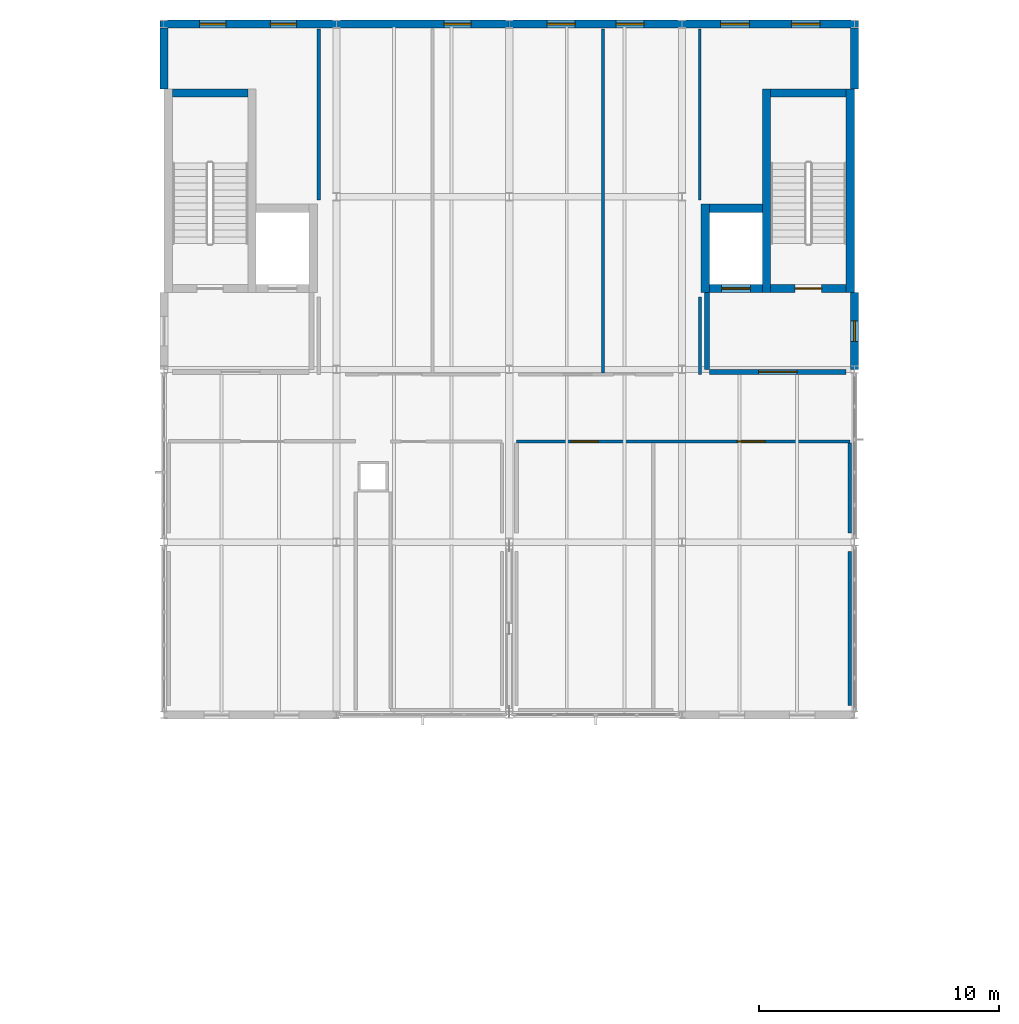
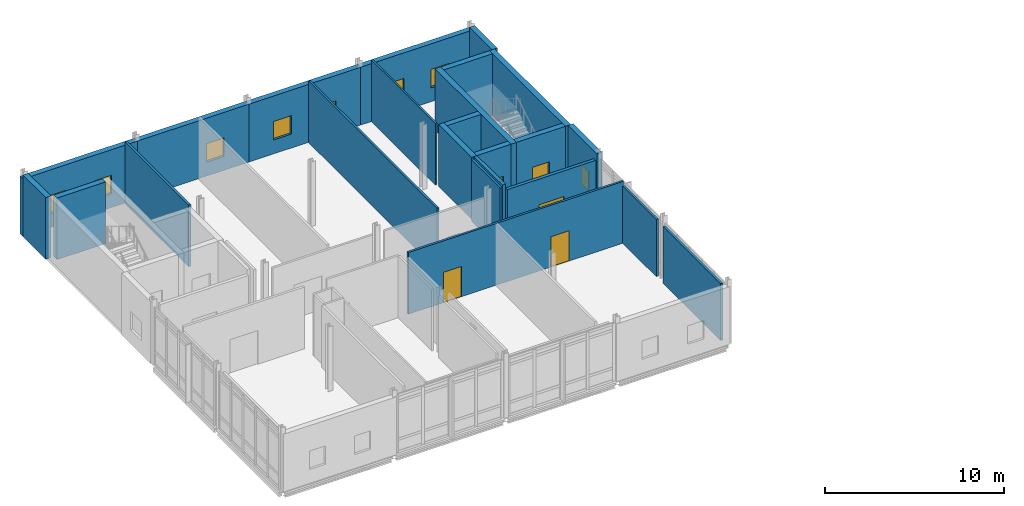
# One storey, part 36 of 43: 24 walls, 8 windows, 5 doors, 13 openings.
"""IFC4 building model written with IfcOpenShell, lengths in metres."""

from ifc_helpers import new_model, si_unit, direction, frame, frame_2d, origin, place, context, subcontext, project, spatial, rectangle, extrude, material, layer, layer_set, type_object, element, fill, save


model = new_model("IFC4")

# Units and contexts
model_context = context("Model", 3, precision=1e-05, world=origin(), true_north=direction((0.0, 1.0)))
body_context = subcontext(model_context, "Body", "Model", "MODEL_VIEW")
ifc_project = project(units=[si_unit("LENGTHUNIT", "METRE"), si_unit("AREAUNIT", "SQUARE_METRE"), si_unit("VOLUMEUNIT", "CUBIC_METRE"), si_unit("PLANEANGLEUNIT", "RADIAN"), si_unit("MASSUNIT", "GRAM", prefix="KILO")], contexts=[model_context])

# Site, building, storey
site_placement = place(None, origin())
site = spatial("IfcSite", under=ifc_project, at=site_placement, CompositionType="ELEMENT")
building_placement = place(site_placement, origin())
building = spatial("IfcBuilding", under=site, at=building_placement, Name="Zarrinpeak Specialist Clinic", CompositionType="ELEMENT")
storey_placement = place(building_placement, frame((0.0, 0.0, 18.39990234375)))
storey = spatial("IfcBuildingStorey", under=building, at=storey_placement, Name="L04", CompositionType="ELEMENT", Elevation=18.39990234375)

# Wall
ifc_material_1 = material(Name="Concrete C40/50", Category="concrete")
ifc_layer_1 = layer(ifc_material_1, 0.35009765625)
ifc_layer_set_1 = layer_set([ifc_layer_1], Name="Concrete C40/50")
wall_type_1 = type_object("IfcWallType", Name="WL-CR350", PredefinedType="SHEAR", material=ifc_layer_set_1)
wall_1_placement = place(storey_placement, frame((36.35009765625, 115.125, 0.0), z_axis=(0.0, 0.0, 1.0), x_axis=(1.0, 0.0, 0.0)))
element("IfcWall", 1, at=wall_1_placement, inside=storey, type_object=wall_type_1, Name="L04 Core C11 Shear Wall STN", PredefinedType="SHEAR", context=body_context, shape_type="SweptSolid", body=[
    extrude(rectangle(XDim=3.14990234375, YDim=0.35009765625, at=frame_2d((1.574951171875, 0.0))), origin(), (0.0, 0.0, 1.0), 4.215087890625),
])

# Wall, opening, door
wall_2_placement = place(storey_placement, frame((61.300048828125, 106.97509765625, 0.0), z_axis=(0.0, 0.0, 1.0), x_axis=(1.0, 0.0, 0.0)))
wall_2 = element("IfcWall", 2, at=wall_2_placement, inside=storey, type_object=wall_type_1, Name="L04 Core C12 Shear Wall STS", PredefinedType="SHEAR", context=body_context, shape_type="SweptSolid", body=[
    extrude(rectangle(XDim=3.14990234375, YDim=0.35009765625, at=frame_2d((1.574951171875, 0.0))), origin(), (0.0, 0.0, 1.0), 4.215087890625),
])
opening_1_placement = place(wall_2_placement, frame((1.02490234375, 0.0, 0.0)))
opening_1 = element("IfcOpeningElement", 3, at=opening_1_placement, cuts=wall_2, Name="Opening D-S02", PredefinedType="OPENING", context=body_context, shape_type="SweptSolid", body=[
    extrude(rectangle(XDim=1.10009765625, YDim=2.14990234375, at=frame_2d((0.550048828125, 1.074951171875))), frame((0.0, 0.18505859375, 0.0), z_axis=(0.0, -1.0, 0.0), x_axis=(1.0, 0.0, 0.0)), (0.0, 0.0, 1.0), 0.3701171875),
])
ifc_material_2 = material(Name="Powder-Coated Galvanised Steel", Category="steel")
door_type_1 = type_object("IfcDoorType", Name="DR-FD110", OperationType="SINGLE_SWING_RIGHT", PredefinedType="DOOR", material=ifc_material_2)
door_1_placement = place(opening_1_placement, origin())
door_1 = element("IfcDoor", 4, at=door_1_placement, inside=storey, type_object=door_type_1, Name="L04 Protected Stair ST-12 Fire Door", OperationType="SINGLE_SWING_RIGHT", OverallHeight=2.14990234375, OverallWidth=1.10009765625, PredefinedType="DOOR", context=body_context, shape_type="SweptSolid", body=[
    extrude(rectangle(XDim=1.10009765625, YDim=2.14990234375, at=frame_2d((0.550048828125, 1.074951171875))), frame((0.0, 0.02490234375, 0.0), z_axis=(0.0, -1.0, 0.0), x_axis=(1.0, 0.0, 0.0)), (0.0, 0.0, 1.0), 0.050048828125),
])
fill(opening_1, door_1)

# Walls
wall_3_placement = place(storey_placement, frame((61.300048828125, 115.125, 0.0), z_axis=(0.0, 0.0, 1.0), x_axis=(1.0, 0.0, 0.0)))
element("IfcWall", 5, at=wall_3_placement, inside=storey, type_object=wall_type_1, Name="L04 Core C12 Shear Wall STN", PredefinedType="SHEAR", context=body_context, shape_type="SweptSolid", body=[
    extrude(rectangle(XDim=3.14990234375, YDim=0.35009765625, at=frame_2d((1.574951171875, 0.0))), origin(), (0.0, 0.0, 1.0), 4.215087890625),
])
for number, where, z_axis, x_axis, name in (
    (6, (61.125, 106.800048828125, 0.0), (0.0, 0.0, 1.0), (0.0, 1.0, 0.0), "L04 Core C12 Shear Wall STW"),
    (7, (64.625, 106.800048828125, 0.0), (0.0, 0.0, 1.0), (0.0, 1.0, 0.0), "L04 Core C12 Shear Wall STE"),
):
    element("IfcWall", number, at=place(storey_placement, frame(where, z_axis=z_axis, x_axis=x_axis)), inside=storey, type_object=wall_type_1, Name=name, PredefinedType="SHEAR", context=body_context, shape_type="SweptSolid", body=[
        extrude(rectangle(XDim=8.5, YDim=0.35009765625, at=frame_2d((4.25, 0.0))), origin(), (0.0, 0.0, 1.0), 4.215087890625),
    ])

# Wall, opening, door
wall_4_placement = place(storey_placement, frame((58.75, 106.97509765625, 0.0), z_axis=(0.0, 0.0, 1.0), x_axis=(1.0, 0.0, 0.0)))
wall_4 = element("IfcWall", 8, at=wall_4_placement, inside=storey, type_object=wall_type_1, Name="L04 Lift LF-P6 Shaft Wall LFS", PredefinedType="SHEAR", context=body_context, shape_type="SweptSolid", body=[
    extrude(rectangle(XDim=2.199951171875, YDim=0.35009765625, at=frame_2d((1.10009765625, 0.0))), origin(), (0.0, 0.0, 1.0), 4.215087890625),
])
opening_2_placement = place(wall_4_placement, frame((0.5, 0.0, 0.0)))
opening_2 = element("IfcOpeningElement", 9, at=opening_2_placement, cuts=wall_4, Name="Opening LD-02", PredefinedType="OPENING", context=body_context, shape_type="SweptSolid", body=[
    extrude(rectangle(XDim=1.199951171875, YDim=2.199951171875, at=frame_2d((0.60009765625, 1.10009765625))), frame((0.0, 0.18505859375, 0.0), z_axis=(0.0, -1.0, 0.0), x_axis=(1.0, 0.0, 0.0)), (0.0, 0.0, 1.0), 0.3701171875),
])
door_type_2 = type_object("IfcDoorType", Name="DR-LD120", OperationType="SLIDING_TO_RIGHT", PredefinedType="DOOR", material=ifc_material_2)
door_2_placement = place(opening_2_placement, origin())
door_2 = element("IfcDoor", 10, at=door_2_placement, inside=storey, type_object=door_type_2, Name="L04 Lift LF-P6 Sliding Landing Door", OperationType="SLIDING_TO_RIGHT", OverallHeight=2.199951171875, OverallWidth=1.199951171875, PredefinedType="DOOR", context=body_context, shape_type="SweptSolid", body=[
    extrude(rectangle(XDim=1.199951171875, YDim=2.199951171875, at=frame_2d((0.60009765625, 1.10009765625))), frame((0.0, 0.02490234375, 0.0), z_axis=(0.0, -1.0, 0.0), x_axis=(1.0, 0.0, 0.0)), (0.0, 0.0, 1.0), 0.050048828125),
])
fill(opening_2, door_2)

# Walls
wall_5_placement = place(storey_placement, frame((58.75, 110.324951171875, 0.0), z_axis=(0.0, 0.0, 1.0), x_axis=(1.0, 0.0, 0.0)))
element("IfcWall", 11, at=wall_5_placement, inside=storey, type_object=wall_type_1, Name="L04 Lift LF-P6 Shaft Wall LFN", PredefinedType="SHEAR", context=body_context, shape_type="SweptSolid", body=[
    extrude(rectangle(XDim=2.199951171875, YDim=0.35009765625, at=frame_2d((1.10009765625, 0.0))), origin(), (0.0, 0.0, 1.0), 4.215087890625),
])
wall_6_placement = place(storey_placement, frame((58.574951171875, 106.800048828125, 0.0), z_axis=(0.0, 0.0, 1.0), x_axis=(0.0, 1.0, 0.0)))
element("IfcWall", 12, at=wall_6_placement, inside=storey, type_object=wall_type_1, Name="L04 Lift LF-P6 Shaft Wall LFW", PredefinedType="SHEAR", context=body_context, shape_type="SweptSolid", body=[
    extrude(rectangle(XDim=3.699951171875, YDim=0.35009765625, at=frame_2d((1.85009765625, 0.0))), origin(), (0.0, 0.0, 1.0), 4.215087890625),
])

# Wall, openings, windows
ifc_material_3 = material(Name="Precast concrete C40/50", Category="concrete")
ifc_layer_2 = layer(ifc_material_3, 0.340087890625)
ifc_layer_set_2 = layer_set([ifc_layer_2], Name="Precast concrete C40/50")
wall_type_2 = type_object("IfcWallType", Name="WL-EW340", PredefinedType="STANDARD", material=ifc_layer_set_2)
wall_7_placement = place(storey_placement, frame((43.199951171875, 118.0, 0.0), z_axis=(0.0, 0.0, 1.0), x_axis=(-1.0, 0.0, 0.0)))
wall_7 = element("IfcWall", 13, at=wall_7_placement, inside=storey, type_object=wall_type_2, Name="L04 V6 Exterior GRC Wall EW-L04-V6-0313", PredefinedType="STANDARD", context=body_context, shape_type="SweptSolid", body=[
    extrude(rectangle(XDim=7.369873046875, YDim=0.340087890625, at=frame_2d((3.68505859375, 0.0))), origin(), (0.0, 0.0, 1.0), 3.9501953125),
])
opening_3_placement = place(wall_7_placement, frame((1.662109375, 0.0, 0.949951171875)))
opening_3 = element("IfcOpeningElement", 14, at=opening_3_placement, cuts=wall_7, Name="Opening WS-08", PredefinedType="OPENING", context=body_context, shape_type="SweptSolid", body=[
    extrude(rectangle(XDim=1.097900390625, YDim=1.260009765625, at=frame_2d((0.548828125, 0.6298828125))), frame((0.0, 0.18017578125, 0.0), z_axis=(0.0, -1.0, 0.0), x_axis=(1.0, 0.0, 0.0)), (0.0, 0.0, 1.0), 0.360107421875),
])
opening_4_placement = place(wall_7_placement, frame((4.610107421875, 0.0, 0.949951171875)))
opening_4 = element("IfcOpeningElement", 15, at=opening_4_placement, cuts=wall_7, Name="Opening WS-08", PredefinedType="OPENING", context=body_context, shape_type="SweptSolid", body=[
    extrude(rectangle(XDim=1.097900390625, YDim=1.260009765625, at=frame_2d((0.548828125, 0.6298828125))), frame((0.0, 0.18017578125, 0.0), z_axis=(0.0, -1.0, 0.0), x_axis=(1.0, 0.0, 0.0)), (0.0, 0.0, 1.0), 0.360107421875),
])
ifc_material_4 = material(Name="Thermally Broken Aluminium and Low-E Glazing", Category="aluminium")
window_type_1 = type_object("IfcWindowType", Name="WN-SP08", PartitioningType="SINGLE_PANEL", PredefinedType="WINDOW", material=ifc_material_4)
window_1_placement = place(opening_3_placement, origin())
window_1 = element("IfcWindow", 16, at=window_1_placement, inside=storey, type_object=window_type_1, Name="L04 Modular Facade Window WN-L04-0351", OverallHeight=1.260009765625, OverallWidth=1.097900390625, PartitioningType="SINGLE_PANEL", PredefinedType="WINDOW", context=body_context, shape_type="SweptSolid", body=[
    extrude(rectangle(XDim=1.097900390625, YDim=1.260009765625, at=frame_2d((0.548828125, 0.6298828125))), frame((0.0, 0.030029296875, 0.0), z_axis=(0.0, -1.0, 0.0), x_axis=(1.0, 0.0, 0.0)), (0.0, 0.0, 1.0), 0.06005859375),
])
fill(opening_3, window_1)
window_2_placement = place(opening_4_placement, origin())
window_2 = element("IfcWindow", 17, at=window_2_placement, inside=storey, type_object=window_type_1, Name="L04 Modular Facade Window WN-L04-0352", OverallHeight=1.260009765625, OverallWidth=1.097900390625, PartitioningType="SINGLE_PANEL", PredefinedType="WINDOW", context=body_context, shape_type="SweptSolid", body=[
    extrude(rectangle(XDim=1.097900390625, YDim=1.260009765625, at=frame_2d((0.548828125, 0.6298828125))), frame((0.0, 0.030029296875, 0.0), z_axis=(0.0, -1.0, 0.0), x_axis=(1.0, 0.0, 0.0)), (0.0, 0.0, 1.0), 0.06005859375),
])
fill(opening_4, window_2)

# Wall, opening, window
wall_8_placement = place(storey_placement, frame((50.39990234375, 118.0, 0.0), z_axis=(0.0, 0.0, 1.0), x_axis=(-1.0, 0.0, 0.0)))
wall_8 = element("IfcWall", 18, at=wall_8_placement, inside=storey, type_object=wall_type_2, Name="L04 V6 Exterior GRC Wall EW-L04-V6-0314", PredefinedType="STANDARD", context=body_context, shape_type="SweptSolid", body=[
    extrude(rectangle(XDim=7.199951171875, YDim=0.340087890625, at=frame_2d((3.60009765625, 0.0))), origin(), (0.0, 0.0, 1.0), 3.9501953125),
])
opening_5_placement = place(wall_8_placement, frame((1.593994140625, 0.0, 0.949951171875)))
opening_5 = element("IfcOpeningElement", 19, at=opening_5_placement, cuts=wall_8, Name="Opening WS-09", PredefinedType="OPENING", context=body_context, shape_type="SweptSolid", body=[
    extrude(rectangle(XDim=1.132080078125, YDim=1.260009765625, at=frame_2d((0.56591796875, 0.6298828125))), frame((0.0, 0.18017578125, 0.0), z_axis=(0.0, -1.0, 0.0), x_axis=(1.0, 0.0, 0.0)), (0.0, 0.0, 1.0), 0.360107421875),
])
window_type_2 = type_object("IfcWindowType", Name="WN-SP09", PartitioningType="SINGLE_PANEL", PredefinedType="WINDOW", material=ifc_material_4)
window_3_placement = place(opening_5_placement, origin())
window_3 = element("IfcWindow", 20, at=window_3_placement, inside=storey, type_object=window_type_2, Name="L04 Modular Facade Window WN-L04-0353", OverallHeight=1.260009765625, OverallWidth=1.132080078125, PartitioningType="SINGLE_PANEL", PredefinedType="WINDOW", context=body_context, shape_type="SweptSolid", body=[
    extrude(rectangle(XDim=1.132080078125, YDim=1.260009765625, at=frame_2d((0.56591796875, 0.6298828125))), frame((0.0, 0.030029296875, 0.0), z_axis=(0.0, -1.0, 0.0), x_axis=(1.0, 0.0, 0.0)), (0.0, 0.0, 1.0), 0.06005859375),
])
fill(opening_5, window_3)

# Wall, openings, windows
wall_9_placement = place(storey_placement, frame((57.60009765625, 118.0, 0.0), z_axis=(0.0, 0.0, 1.0), x_axis=(-1.0, 0.0, 0.0)))
wall_9 = element("IfcWall", 21, at=wall_9_placement, inside=storey, type_object=wall_type_2, Name="L04 V6 Exterior GRC Wall EW-L04-V6-0315", PredefinedType="STANDARD", context=body_context, shape_type="SweptSolid", body=[
    extrude(rectangle(XDim=7.2001953125, YDim=0.340087890625, at=frame_2d((3.60009765625, 0.0))), origin(), (0.0, 0.0, 1.0), 3.9501953125),
])
opening_6_placement = place(wall_9_placement, frame((1.576904296875, 0.0, 0.949951171875)))
opening_6 = element("IfcOpeningElement", 22, at=opening_6_placement, cuts=wall_9, Name="Opening WS-10", PredefinedType="OPENING", context=body_context, shape_type="SweptSolid", body=[
    extrude(rectangle(XDim=1.166015625, YDim=1.260009765625, at=frame_2d((0.5830078125, 0.6298828125))), frame((0.0, 0.18017578125, 0.0), z_axis=(0.0, -1.0, 0.0), x_axis=(1.0, 0.0, 0.0)), (0.0, 0.0, 1.0), 0.360107421875),
])
opening_7_placement = place(wall_9_placement, frame((4.45703125, 0.0, 0.949951171875)))
opening_7 = element("IfcOpeningElement", 23, at=opening_7_placement, cuts=wall_9, Name="Opening WS-10", PredefinedType="OPENING", context=body_context, shape_type="SweptSolid", body=[
    extrude(rectangle(XDim=1.166015625, YDim=1.260009765625, at=frame_2d((0.5830078125, 0.6298828125))), frame((0.0, 0.18017578125, 0.0), z_axis=(0.0, -1.0, 0.0), x_axis=(1.0, 0.0, 0.0)), (0.0, 0.0, 1.0), 0.360107421875),
])
window_type_3 = type_object("IfcWindowType", Name="WN-SP10", PartitioningType="SINGLE_PANEL", PredefinedType="WINDOW", material=ifc_material_4)
window_4_placement = place(opening_6_placement, origin())
window_4 = element("IfcWindow", 24, at=window_4_placement, inside=storey, type_object=window_type_3, Name="L04 Modular Facade Window WN-L04-0354", OverallHeight=1.260009765625, OverallWidth=1.166015625, PartitioningType="SINGLE_PANEL", PredefinedType="WINDOW", context=body_context, shape_type="SweptSolid", body=[
    extrude(rectangle(XDim=1.166015625, YDim=1.260009765625, at=frame_2d((0.5830078125, 0.6298828125))), frame((0.0, 0.030029296875, 0.0), z_axis=(0.0, -1.0, 0.0), x_axis=(1.0, 0.0, 0.0)), (0.0, 0.0, 1.0), 0.06005859375),
])
fill(opening_6, window_4)
window_5_placement = place(opening_7_placement, origin())
window_5 = element("IfcWindow", 25, at=window_5_placement, inside=storey, type_object=window_type_3, Name="L04 Modular Facade Window WN-L04-0355", OverallHeight=1.260009765625, OverallWidth=1.166015625, PartitioningType="SINGLE_PANEL", PredefinedType="WINDOW", context=body_context, shape_type="SweptSolid", body=[
    extrude(rectangle(XDim=1.166015625, YDim=1.260009765625, at=frame_2d((0.5830078125, 0.6298828125))), frame((0.0, 0.030029296875, 0.0), z_axis=(0.0, -1.0, 0.0), x_axis=(1.0, 0.0, 0.0)), (0.0, 0.0, 1.0), 0.06005859375),
])
fill(opening_7, window_5)

wall_10_placement = place(storey_placement, frame((64.969970703125, 118.0, 0.0), z_axis=(0.0, 0.0, 1.0), x_axis=(-1.0, 0.0, 0.0)))
wall_10 = element("IfcWall", 26, at=wall_10_placement, inside=storey, type_object=wall_type_2, Name="L04 V6 Exterior GRC Wall EW-L04-V6-0316", PredefinedType="STANDARD", context=body_context, shape_type="SweptSolid", body=[
    extrude(rectangle(XDim=7.369873046875, YDim=0.340087890625, at=frame_2d((3.68505859375, 0.0))), origin(), (0.0, 0.0, 1.0), 3.9501953125),
])
opening_8_placement = place(wall_10_placement, frame((1.611083984375, 0.0, 0.949951171875)))
opening_8 = element("IfcOpeningElement", 27, at=opening_8_placement, cuts=wall_10, Name="Opening WS-11", PredefinedType="OPENING", context=body_context, shape_type="SweptSolid", body=[
    extrude(rectangle(XDim=1.199951171875, YDim=1.260009765625, at=frame_2d((0.60009765625, 0.6298828125))), frame((0.0, 0.18017578125, 0.0), z_axis=(0.0, -1.0, 0.0), x_axis=(1.0, 0.0, 0.0)), (0.0, 0.0, 1.0), 0.360107421875),
])
opening_9_placement = place(wall_10_placement, frame((4.55908203125, 0.0, 0.949951171875)))
opening_9 = element("IfcOpeningElement", 28, at=opening_9_placement, cuts=wall_10, Name="Opening WS-11", PredefinedType="OPENING", context=body_context, shape_type="SweptSolid", body=[
    extrude(rectangle(XDim=1.199951171875, YDim=1.260009765625, at=frame_2d((0.60009765625, 0.6298828125))), frame((0.0, 0.18017578125, 0.0), z_axis=(0.0, -1.0, 0.0), x_axis=(1.0, 0.0, 0.0)), (0.0, 0.0, 1.0), 0.360107421875),
])
window_type_4 = type_object("IfcWindowType", Name="WN-SP11", PartitioningType="SINGLE_PANEL", PredefinedType="WINDOW", material=ifc_material_4)
window_6_placement = place(opening_8_placement, origin())
window_6 = element("IfcWindow", 29, at=window_6_placement, inside=storey, type_object=window_type_4, Name="L04 Modular Facade Window WN-L04-0356", OverallHeight=1.260009765625, OverallWidth=1.199951171875, PartitioningType="SINGLE_PANEL", PredefinedType="WINDOW", context=body_context, shape_type="SweptSolid", body=[
    extrude(rectangle(XDim=1.199951171875, YDim=1.260009765625, at=frame_2d((0.60009765625, 0.6298828125))), frame((0.0, 0.030029296875, 0.0), z_axis=(0.0, -1.0, 0.0), x_axis=(1.0, 0.0, 0.0)), (0.0, 0.0, 1.0), 0.06005859375),
])
fill(opening_8, window_6)
window_7_placement = place(opening_9_placement, origin())
window_7 = element("IfcWindow", 30, at=window_7_placement, inside=storey, type_object=window_type_4, Name="L04 Modular Facade Window WN-L04-0357", OverallHeight=1.260009765625, OverallWidth=1.199951171875, PartitioningType="SINGLE_PANEL", PredefinedType="WINDOW", context=body_context, shape_type="SweptSolid", body=[
    extrude(rectangle(XDim=1.199951171875, YDim=1.260009765625, at=frame_2d((0.60009765625, 0.6298828125))), frame((0.0, 0.030029296875, 0.0), z_axis=(0.0, -1.0, 0.0), x_axis=(1.0, 0.0, 0.0)), (0.0, 0.0, 1.0), 0.06005859375),
])
fill(opening_9, window_7)

# Wall
wall_11_placement = place(storey_placement, frame((36.0, 117.830078125, 0.0), z_axis=(0.0, 0.0, 1.0), x_axis=(0.0, -1.0, 0.0)))
element("IfcWall", 31, at=wall_11_placement, inside=storey, type_object=wall_type_2, Name="L04 V6 Exterior GRC Wall EW-L04-V6-0318", PredefinedType="STANDARD", context=body_context, shape_type="SweptSolid", body=[
    extrude(rectangle(XDim=2.530029296875, YDim=0.340087890625, at=frame_2d((1.26513671875, 0.0))), origin(), (0.0, 0.0, 1.0), 4.215087890625),
])

# Wall, opening, window
wall_12_placement = place(storey_placement, frame((64.800048828125, 103.60009765625, 0.0), z_axis=(0.0, 0.0, 1.0), x_axis=(0.0, 1.0, 0.0)))
wall_12 = element("IfcWall", 32, at=wall_12_placement, inside=storey, type_object=wall_type_2, Name="L04 V6 Exterior GRC Wall EW-L04-V6-0319", PredefinedType="STANDARD", context=body_context, shape_type="SweptSolid", body=[
    extrude(rectangle(XDim=3.199951171875, YDim=0.340087890625, at=frame_2d((1.60009765625, 0.0))), origin(), (0.0, 0.0, 1.0), 4.215087890625),
])
opening_10_placement = place(wall_12_placement, frame((1.169921875, 0.0, 0.949951171875)))
opening_10 = element("IfcOpeningElement", 33, at=opening_10_placement, cuts=wall_12, Name="Opening WS-14", PredefinedType="OPENING", context=body_context, shape_type="SweptSolid", body=[
    extrude(rectangle(XDim=0.860107421875, YDim=1.2958984375, at=frame_2d((0.43017578125, 0.64794921875))), frame((0.0, 0.18017578125, 0.0), z_axis=(0.0, -1.0, 0.0), x_axis=(1.0, 0.0, 0.0)), (0.0, 0.0, 1.0), 0.360107421875),
])
window_type_5 = type_object("IfcWindowType", Name="WN-SP14", PartitioningType="SINGLE_PANEL", PredefinedType="WINDOW", material=ifc_material_4)
window_8_placement = place(opening_10_placement, origin())
window_8 = element("IfcWindow", 34, at=window_8_placement, inside=storey, type_object=window_type_5, Name="L04 Modular Facade Window WN-L04-0359", OverallHeight=1.2958984375, OverallWidth=0.860107421875, PartitioningType="SINGLE_PANEL", PredefinedType="WINDOW", context=body_context, shape_type="SweptSolid", body=[
    extrude(rectangle(XDim=0.860107421875, YDim=1.2958984375, at=frame_2d((0.43017578125, 0.64794921875))), frame((0.0, 0.030029296875, 0.0), z_axis=(0.0, -1.0, 0.0), x_axis=(1.0, 0.0, 0.0)), (0.0, 0.0, 1.0), 0.06005859375),
])
fill(opening_10, window_8)

# Walls
wall_13_placement = place(storey_placement, frame((64.800048828125, 115.300048828125, 0.0), z_axis=(0.0, 0.0, 1.0), x_axis=(0.0, 1.0, 0.0)))
element("IfcWall", 35, at=wall_13_placement, inside=storey, type_object=wall_type_2, Name="L04 V6 Exterior GRC Wall EW-L04-V6-0320", PredefinedType="STANDARD", context=body_context, shape_type="SweptSolid", body=[
    extrude(rectangle(XDim=2.530029296875, YDim=0.340087890625, at=frame_2d((1.26513671875, 0.0))), origin(), (0.0, 0.0, 1.0), 4.215087890625),
])
ifc_material_5 = material(Name="Sanitary Service Chase Plumbing Wall", Category="gypsum")
ifc_layer_3 = layer(ifc_material_5, 0.110107421875)
ifc_layer_set_3 = layer_set([ifc_layer_3], Name="Sanitary Service Chase Plumbing Wall")
wall_type_3 = type_object("IfcWallType", Name="WL-IW110", PredefinedType="PARTITIONING", material=ifc_layer_set_3)
wall_14_placement = place(storey_placement, frame((58.35009765625, 110.675048828125, 0.0), z_axis=(0.0, 0.0, 1.0), x_axis=(0.0, 1.0, 0.0)))
element("IfcWall", 36, at=wall_14_placement, inside=storey, type_object=wall_type_3, Name="L04 Student WC Dividing Partition", PredefinedType="PARTITIONING", context=body_context, shape_type="SweptSolid", body=[
    extrude(rectangle(XDim=7.125, YDim=0.110107421875, at=frame_2d((3.5625, 0.0))), origin(), (0.0, 0.0, 1.0), 4.215087890625),
])
ifc_material_6 = material(Name="Moisture-Resistant Wet-Room Partition", Category="gypsum")
ifc_layer_4 = layer(ifc_material_6, 0.125)
ifc_layer_set_4 = layer_set([ifc_layer_4], Name="Moisture-Resistant Wet-Room Partition")
wall_type_4 = type_object("IfcWallType", Name="WL-IW125W", PredefinedType="PARTITIONING", material=ifc_layer_set_4)
wall_15_placement = place(storey_placement, frame((54.300048828125, 103.46240234375, 0.0), z_axis=(0.0, 0.0, 1.0), x_axis=(0.0, 1.0, 0.0)))
element("IfcWall", 37, at=wall_15_placement, inside=storey, type_object=wall_type_4, Name="L04 Student WC Dividing Partition", PredefinedType="PARTITIONING", context=body_context, shape_type="SweptSolid", body=[
    extrude(rectangle(XDim=14.337646484375, YDim=0.125, at=frame_2d((7.1689453125, 0.0))), origin(), (0.0, 0.0, 1.0), 4.215087890625),
])
wall_16_placement = place(storey_placement, frame((58.35009765625, 103.39990234375, 0.0), z_axis=(0.0, 0.0, 1.0), x_axis=(0.0, 1.0, 0.0)))
element("IfcWall", 38, at=wall_16_placement, inside=storey, type_object=wall_type_4, Name="L04 Student WC Dividing Partition", PredefinedType="PARTITIONING", context=body_context, shape_type="SweptSolid", body=[
    extrude(rectangle(XDim=3.22509765625, YDim=0.125, at=frame_2d((1.612548828125, 0.0))), origin(), (0.0, 0.0, 1.0), 4.215087890625),
])

# Wall, openings, doors
ifc_material_7 = material(Name="Standard Drywall Partition", Category="gypsum")
ifc_layer_5 = layer(ifc_material_7, 0.135009765625)
ifc_layer_set_5 = layer_set([ifc_layer_5], Name="Standard Drywall Partition")
wall_type_5 = type_object("IfcWallType", Name="WL-IW135", PredefinedType="PARTITIONING", material=ifc_layer_set_5)
wall_17_placement = place(storey_placement, frame((50.699951171875, 100.60009765625, 0.0), z_axis=(0.0, 0.0, 1.0), x_axis=(1.0, 0.0, 0.0)))
wall_17 = element("IfcWall", 39, at=wall_17_placement, inside=storey, type_object=wall_type_5, Name="L04 Faculty Academic Offices Partition", PredefinedType="PARTITIONING", context=body_context, shape_type="SweptSolid", body=[
    extrude(rectangle(XDim=13.900146484375, YDim=0.135009765625, at=frame_2d((6.9501953125, 0.0))), origin(), (0.0, 0.0, 1.0), 4.215087890625),
])
opening_11_placement = place(wall_17_placement, frame((2.280029296875, 0.0, 0.0)))
opening_11 = element("IfcOpeningElement", 40, at=opening_11_placement, cuts=wall_17, Name="Opening DS-24", PredefinedType="OPENING", context=body_context, shape_type="SweptSolid", body=[
    extrude(rectangle(XDim=1.139892578125, YDim=2.068115234375, at=frame_2d((0.56982421875, 1.0341796875))), frame((0.0, 0.07763671875, 0.0), z_axis=(0.0, -1.0, 0.0), x_axis=(1.0, 0.0, 0.0)), (0.0, 0.0, 1.0), 0.155029296875),
])
opening_12_placement = place(wall_17_placement, frame((9.217041015625, 0.0, 0.0)))
opening_12 = element("IfcOpeningElement", 41, at=opening_12_placement, cuts=wall_17, Name="Opening DS-25", PredefinedType="OPENING", context=body_context, shape_type="SweptSolid", body=[
    extrude(rectangle(XDim=1.166015625, YDim=2.068115234375, at=frame_2d((0.5830078125, 1.0341796875))), frame((0.0, 0.07763671875, 0.0), z_axis=(0.0, -1.0, 0.0), x_axis=(1.0, 0.0, 0.0)), (0.0, 0.0, 1.0), 0.155029296875),
])
door_type_3 = type_object("IfcDoorType", Name="DR-SP24", OperationType="SINGLE_SWING_LEFT", PredefinedType="DOOR", material=ifc_material_2)
door_3_placement = place(opening_11_placement, origin())
door_3 = element("IfcDoor", 42, at=door_3_placement, inside=storey, type_object=door_type_3, Name="L04 Faculty Academic Offices Door", OperationType="SINGLE_SWING_LEFT", OverallHeight=2.068115234375, OverallWidth=1.139892578125, PredefinedType="DOOR", context=body_context, shape_type="SweptSolid", body=[
    extrude(rectangle(XDim=1.139892578125, YDim=2.068115234375, at=frame_2d((0.56982421875, 1.0341796875))), frame((0.0, 0.02490234375, 0.0), z_axis=(0.0, -1.0, 0.0), x_axis=(1.0, 0.0, 0.0)), (0.0, 0.0, 1.0), 0.050048828125),
])
fill(opening_11, door_3)
door_type_4 = type_object("IfcDoorType", Name="DR-SP25", OperationType="SINGLE_SWING_RIGHT", PredefinedType="DOOR", material=ifc_material_2)
door_4_placement = place(opening_12_placement, origin())
door_4 = element("IfcDoor", 43, at=door_4_placement, inside=storey, type_object=door_type_4, Name="L04 Specialist Consultation Room 1 Door", OperationType="SINGLE_SWING_RIGHT", OverallHeight=2.068115234375, OverallWidth=1.166015625, PredefinedType="DOOR", context=body_context, shape_type="SweptSolid", body=[
    extrude(rectangle(XDim=1.166015625, YDim=2.068115234375, at=frame_2d((0.5830078125, 1.0341796875))), frame((0.0, 0.02490234375, 0.0), z_axis=(0.0, -1.0, 0.0), x_axis=(1.0, 0.0, 0.0)), (0.0, 0.0, 1.0), 0.050048828125),
])
fill(opening_12, door_4)

# Walls
wall_18_placement = place(storey_placement, frame((64.60009765625, 96.780029296875, 0.0), z_axis=(0.0, 0.0, 1.0), x_axis=(0.0, 1.0, 0.0)))
element("IfcWall", 44, at=wall_18_placement, inside=storey, type_object=wall_type_5, Name="L04 Specialist Consultation Room 1 Dividing Partition", PredefinedType="PARTITIONING", context=body_context, shape_type="SweptSolid", body=[
    extrude(rectangle(XDim=3.75244140625, YDim=0.135009765625, at=frame_2d((1.876220703125, 0.0))), origin(), (0.0, 0.0, 1.0), 3.900146484375),
])
ifc_material_8 = material(Name="Acoustic Consultation Stud Partition", Category="gypsum")
ifc_layer_6 = layer(ifc_material_8, 0.14208984375)
ifc_layer_set_6 = layer_set([ifc_layer_6], Name="Acoustic Consultation Stud Partition")
wall_type_6 = type_object("IfcWallType", Name="WL-IW142", PredefinedType="PARTITIONING", material=ifc_layer_set_6)
wall_19_placement = place(storey_placement, frame((42.449951171875, 110.675048828125, 0.0), z_axis=(0.0, 0.0, 1.0), x_axis=(0.0, 1.0, 0.0)))
element("IfcWall", 45, at=wall_19_placement, inside=storey, type_object=wall_type_6, Name="L04 Clinical Residency Seminar Room Dividing Partition", PredefinedType="PARTITIONING", context=body_context, shape_type="SweptSolid", body=[
    extrude(rectangle(XDim=7.125, YDim=0.14208984375, at=frame_2d((3.5625, 0.0))), origin(), (0.0, 0.0, 1.0), 4.215087890625),
])
wall_20_placement = place(storey_placement, frame((64.60009765625, 89.580078125, 0.0), z_axis=(0.0, 0.0, 1.0), x_axis=(0.0, 1.0, 0.0)))
element("IfcWall", 46, at=wall_20_placement, inside=storey, type_object=wall_type_6, Name="L04 Specialist Consultation Room 1 Dividing Partition", PredefinedType="PARTITIONING", context=body_context, shape_type="SweptSolid", body=[
    extrude(rectangle(XDim=6.43994140625, YDim=0.14208984375, at=frame_2d((3.219970703125, 0.0))), origin(), (0.0, 0.0, 1.0), 3.89013671875),
])

# Wall, opening, door
ifc_material_9 = material(Name="Autoclaved Aerated Concrete Blockwork", Category="masonry")
ifc_layer_7 = layer(ifc_material_9, 0.199951171875)
ifc_layer_set_7 = layer_set([ifc_layer_7], Name="Autoclaved Aerated Concrete Blockwork")
wall_type_7 = type_object("IfcWallType", Name="WL-IW200", PredefinedType="PARTITIONING", material=ifc_layer_set_7)
wall_21_placement = place(storey_placement, frame((58.75, 103.5, 0.0), z_axis=(0.0, 0.0, 1.0), x_axis=(1.0, 0.0, 0.0)))
wall_21 = element("IfcWall", 47, at=wall_21_placement, inside=storey, type_object=wall_type_7, Name="L04 C12 Protected Lobby Partition LBF", PredefinedType="PARTITIONING", context=body_context, shape_type="SweptSolid", body=[
    extrude(rectangle(XDim=5.699951171875, YDim=0.199951171875, at=frame_2d((2.85009765625, 0.0))), origin(), (0.0, 0.0, 1.0), 3.9501953125),
])
opening_13_placement = place(wall_21_placement, frame((2.050048828125, 0.0, 0.0)))
opening_13 = element("IfcOpeningElement", 48, at=opening_13_placement, cuts=wall_21, Name="Opening D-L01", PredefinedType="OPENING", context=body_context, shape_type="SweptSolid", body=[
    extrude(rectangle(XDim=1.60009765625, YDim=2.199951171875, at=frame_2d((0.800048828125, 1.10009765625))), frame((0.0, 0.10986328125, 0.0), z_axis=(0.0, -1.0, 0.0), x_axis=(1.0, 0.0, 0.0)), (0.0, 0.0, 1.0), 0.219970703125),
])
door_type_5 = type_object("IfcDoorType", Name="DR-LB160", OperationType="DOUBLE_DOOR_SINGLE_SWING", PredefinedType="DOOR", material=ifc_material_2)
door_5_placement = place(opening_13_placement, origin())
door_5 = element("IfcDoor", 49, at=door_5_placement, inside=storey, type_object=door_type_5, Name="L04 C12 Lobby Hold-Open Fire Door", OperationType="DOUBLE_DOOR_SINGLE_SWING", OverallHeight=2.199951171875, OverallWidth=1.60009765625, PredefinedType="DOOR", context=body_context, shape_type="SweptSolid", body=[
    extrude(rectangle(XDim=1.60009765625, YDim=2.199951171875, at=frame_2d((0.800048828125, 1.10009765625))), frame((0.0, 0.02490234375, 0.0), z_axis=(0.0, -1.0, 0.0), x_axis=(1.0, 0.0, 0.0)), (0.0, 0.0, 1.0), 0.050048828125),
])
fill(opening_13, door_5)

# Wall
wall_22_placement = place(storey_placement, frame((58.64990234375, 103.60009765625, 0.0), z_axis=(0.0, 0.0, 1.0), x_axis=(0.0, 1.0, 0.0)))
element("IfcWall", 50, at=wall_22_placement, inside=storey, type_object=wall_type_7, Name="L04 C12 Protected Lobby Partition LBW", PredefinedType="PARTITIONING", context=body_context, shape_type="SweptSolid", body=[
    extrude(rectangle(XDim=3.199951171875, YDim=0.199951171875, at=frame_2d((1.60009765625, 0.0))), origin(), (0.0, 0.0, 1.0), 4.215087890625),
])

save(model, "model.ifc")
